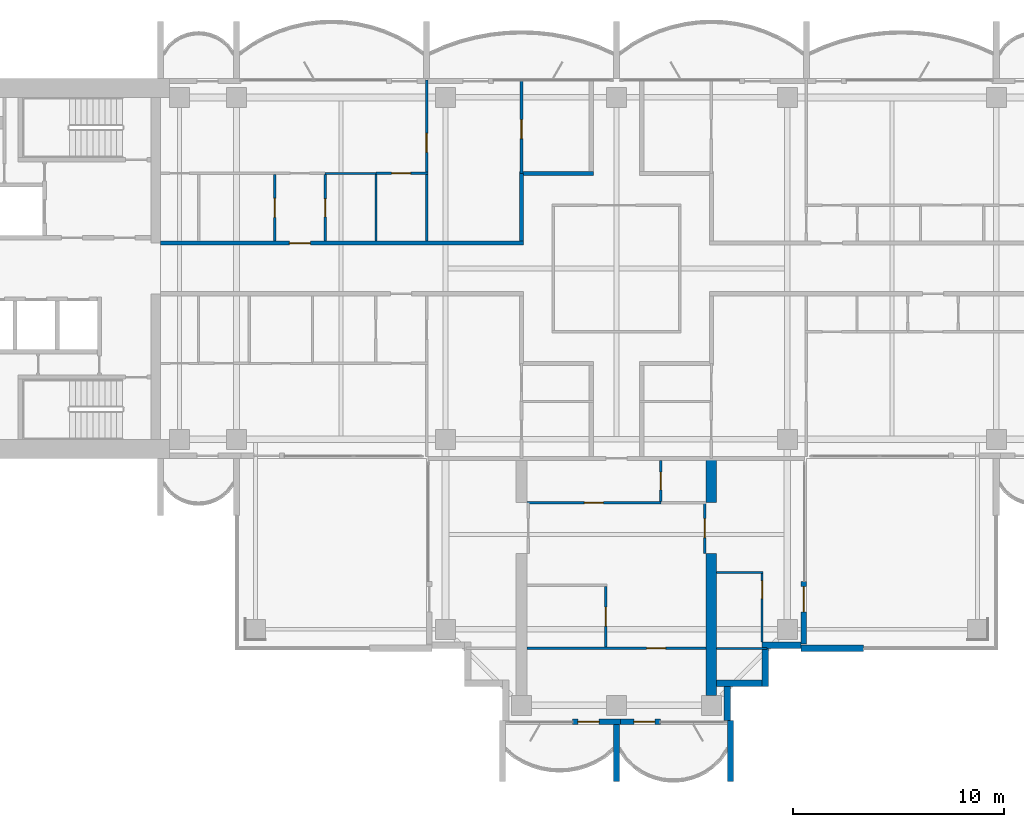
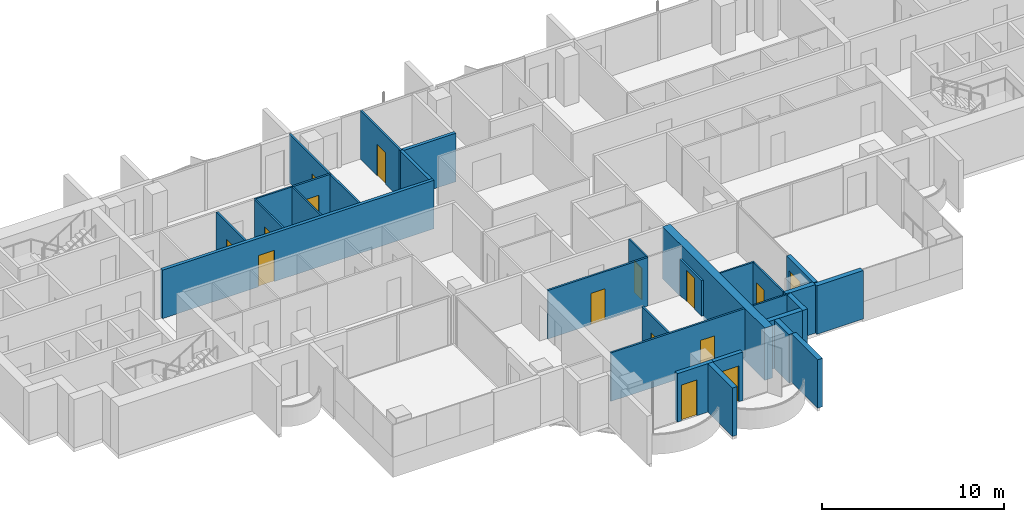
# One storey, part 10 of 17: 29 walls, 15 doors, 15 openings.
"""IFC4 building model written with IfcOpenShell, lengths in metres."""

from ifc_helpers import new_model, si_unit, direction, frame, frame_2d, origin, place, context, subcontext, project, spatial, polyline, rectangle, outline, extrude, material, layer, layer_set, material_profile, profile_set, type_object, element, fill, save


model = new_model("IFC4")

# Units and contexts
model_context = context("Model", 3, precision=1e-05, world=origin(), true_north=direction((0.0, 1.0)))
body_context = subcontext(model_context, "Body", "Model", "MODEL_VIEW")
ifc_project = project(units=[si_unit("LENGTHUNIT", "METRE"), si_unit("AREAUNIT", "SQUARE_METRE"), si_unit("VOLUMEUNIT", "CUBIC_METRE"), si_unit("PLANEANGLEUNIT", "RADIAN"), si_unit("MASSUNIT", "GRAM", prefix="KILO")], contexts=[model_context])

# Site, building, storey
site_placement = place(None, origin())
site = spatial("IfcSite", under=ifc_project, at=site_placement, CompositionType="ELEMENT")
building_placement = place(site_placement, origin())
building = spatial("IfcBuilding", under=site, at=building_placement, Name="Perihelion Cross Residences", CompositionType="ELEMENT")
storey_placement = place(building_placement, frame((0.0, 0.0, 194.60009765625)))
storey = spatial("IfcBuildingStorey", under=building, at=storey_placement, Name="L48", CompositionType="ELEMENT", Elevation=194.60009765625)

# Wall, opening, door
ifc_material_1 = material(Name="Plasterboard partition")
ifc_layer_1 = layer(ifc_material_1, 0.199951171875)
ifc_layer_set_1 = layer_set([ifc_layer_1], Name="Apartment separation wall 200")
wall_type_1 = type_object("IfcWallType", Name="Apartment separation wall 200", PredefinedType="PARTITIONING", material=ifc_layer_set_1)
wall_1_placement = place(storey_placement, frame((-21.60009765625, 1.199951171875, 0.0), z_axis=(0.0, 0.0, 1.0), x_axis=(1.0, 0.0, 0.0)))
wall_1 = element("IfcWall", 1, at=wall_1_placement, inside=storey, type_object=wall_type_1, Name="Partition L48 W013", PredefinedType="PARTITIONING", context=body_context, shape_type="SweptSolid", body=[
    extrude(rectangle(XDim=17.2001953125, YDim=0.199951171875, at=frame_2d((8.60009765625, 0.0))), origin(), (0.0, 0.0, 1.0), 3.25),
])
opening_1_placement = place(wall_1_placement, frame((6.10009765625, 0.0, 0.0)))
opening_1 = element("IfcOpeningElement", 2, at=opening_1_placement, cuts=wall_1, Name="Opening L48.A40", PredefinedType="OPENING", context=body_context, shape_type="SweptSolid", body=[
    extrude(rectangle(XDim=1.0, YDim=2.10009765625, at=frame_2d((0.5, 1.050048828125))), frame((0.0, 0.10986328125, 0.0), z_axis=(0.0, -1.0, 0.0), x_axis=(1.0, 0.0, 0.0)), (0.0, 0.0, 1.0), 0.219970703125),
])
ifc_material_2 = material(Name="Timber door leaf", Category="wood")
door_type_1 = type_object("IfcDoorType", Name="Flat entrance door 1000 x 2100", OperationType="SINGLE_SWING_LEFT", PredefinedType="DOOR", material=ifc_material_2)
door_1_placement = place(opening_1_placement, origin())
door_1 = element("IfcDoor", 3, at=door_1_placement, inside=storey, type_object=door_type_1, Name="Door L48.A40", OperationType="SINGLE_SWING_RIGHT", OverallHeight=2.10009765625, OverallWidth=1.0, PredefinedType="DOOR", context=body_context, shape_type="SweptSolid", body=[
    extrude(rectangle(XDim=1.0, YDim=2.10009765625, at=frame_2d((0.5, 1.050048828125))), frame((0.0, 0.02490234375, 0.0), z_axis=(0.0, -1.0, 0.0), x_axis=(1.0, 0.0, 0.0)), (0.0, 0.0, 1.0), 0.050048828125),
])
fill(opening_1, door_1)

# Walls
wall_2_placement = place(storey_placement, frame((-4.5, 1.300048828125, 0.0), z_axis=(0.0, 0.0, 1.0), x_axis=(0.0, 1.0, 0.0)))
element("IfcWall", 4, at=wall_2_placement, inside=storey, type_object=wall_type_1, Name="Partition L48 W014", PredefinedType="PARTITIONING", context=body_context, shape_type="SweptSolid", body=[
    extrude(rectangle(XDim=3.199951171875, YDim=0.199951171875, at=frame_2d((1.60009765625, 0.0))), origin(), (0.0, 0.0, 1.0), 3.25),
])
wall_3_placement = place(storey_placement, frame((-4.60009765625, 4.5, 0.0), z_axis=(0.0, 0.0, 1.0), x_axis=(1.0, 0.0, 0.0)))
element("IfcWall", 5, at=wall_3_placement, inside=storey, type_object=wall_type_1, Name="Partition L48 W015", PredefinedType="PARTITIONING", context=body_context, shape_type="SweptSolid", body=[
    extrude(rectangle(XDim=3.5, YDim=0.199951171875, at=frame_2d((1.75, 0.0))), origin(), (0.0, 0.0, 1.0), 3.25),
])

# Wall, opening, door
ifc_material_3 = material(Name="Concrete C30/37, bronze-clad", Category="concrete")
ifc_layer_2 = layer(ifc_material_3, 0.25)
ifc_layer_set_2 = layer_set([ifc_layer_2], Name="Bronze-clad pier wall 250")
wall_type_2 = type_object("IfcWallType", Name="Bronze-clad pier wall 250", PredefinedType="SOLIDWALL", material=ifc_layer_set_2)
wall_4_placement = place(storey_placement, frame((-2.074951171875, -21.47509765625, 0.0), z_axis=(0.0, 0.0, 1.0), x_axis=(1.0, 0.0, 0.0)))
wall_4 = element("IfcWall", 6, at=wall_4_placement, inside=storey, type_object=wall_type_2, Name="Wall FW1 L48 south tip south bay 1 pier", PredefinedType="SOLIDWALL", context=body_context, shape_type="SweptSolid", body=[
    extrude(rectangle(XDim=2.27490234375, YDim=0.25, at=frame_2d((1.137451171875, 0.0))), origin(), (0.0, 0.0, 1.0), 3.25),
])
opening_2_placement = place(wall_4_placement, frame((0.25, 0.0, 0.0)))
opening_2 = element("IfcOpeningElement", 7, at=opening_2_placement, cuts=wall_4, Name="Opening L48.E10", PredefinedType="OPENING", context=body_context, shape_type="SweptSolid", body=[
    extrude(rectangle(XDim=1.0, YDim=2.39990234375, at=frame_2d((0.5, 1.199951171875))), frame((0.0, 0.135009765625, 0.0), z_axis=(0.0, -1.0, 0.0), x_axis=(1.0, 0.0, 0.0)), (0.0, 0.0, 1.0), 0.27001953125),
])
ifc_material_4 = material(Name="Bronze anodised aluminium, glazed", Category="aluminium")
door_type_2 = type_object("IfcDoorType", Name="Balcony door 1000 x 2400", OperationType="NOTDEFINED", PredefinedType="DOOR", material=ifc_material_4)
door_2_placement = place(opening_2_placement, origin())
door_2 = element("IfcDoor", 8, at=door_2_placement, inside=storey, type_object=door_type_2, Name="Door L48.E10 south tip south bay 1", OperationType="SINGLE_SWING_RIGHT", OverallHeight=2.39990234375, OverallWidth=1.0, PredefinedType="DOOR", context=body_context, shape_type="SweptSolid", body=[
    extrude(rectangle(XDim=1.0, YDim=2.39990234375, at=frame_2d((0.5, 1.199951171875))), frame((0.0, 0.02490234375, 0.0), z_axis=(0.0, -1.0, 0.0), x_axis=(1.0, 0.0, 0.0)), (0.0, 0.0, 1.0), 0.050048828125),
])
fill(opening_2, door_2)

wall_5_placement = place(storey_placement, frame((0.199951171875, -21.47509765625, 0.0), z_axis=(0.0, 0.0, 1.0), x_axis=(1.0, 0.0, 0.0)))
wall_5 = element("IfcWall", 9, at=wall_5_placement, inside=storey, type_object=wall_type_2, Name="Wall FW1 L48 south tip south bay 2 pier", PredefinedType="SOLIDWALL", context=body_context, shape_type="SweptSolid", body=[
    extrude(rectangle(XDim=1.875, YDim=0.25, at=frame_2d((0.9375, 0.0))), origin(), (0.0, 0.0, 1.0), 3.25),
])
opening_3_placement = place(wall_5_placement, frame((0.625, 0.0, 0.0)))
opening_3 = element("IfcOpeningElement", 10, at=opening_3_placement, cuts=wall_5, Name="Opening L48.E11", PredefinedType="OPENING", context=body_context, shape_type="SweptSolid", body=[
    extrude(rectangle(XDim=1.0, YDim=2.39990234375, at=frame_2d((0.5, 1.199951171875))), frame((0.0, 0.135009765625, 0.0), z_axis=(0.0, -1.0, 0.0), x_axis=(1.0, 0.0, 0.0)), (0.0, 0.0, 1.0), 0.27001953125),
])
door_3_placement = place(opening_3_placement, origin())
door_3 = element("IfcDoor", 11, at=door_3_placement, inside=storey, type_object=door_type_2, Name="Door L48.E11 south tip south bay 2", OperationType="SINGLE_SWING_LEFT", OverallHeight=2.39990234375, OverallWidth=1.0, PredefinedType="DOOR", context=body_context, shape_type="SweptSolid", body=[
    extrude(rectangle(XDim=1.0, YDim=2.39990234375, at=frame_2d((0.5, 1.199951171875))), frame((0.0, 0.02490234375, 0.0), z_axis=(0.0, -1.0, 0.0), x_axis=(1.0, 0.0, 0.0)), (0.0, 0.0, 1.0), 0.050048828125),
])
fill(opening_3, door_3)

wall_6_placement = place(storey_placement, frame((8.875, -17.800048828125, 0.0), z_axis=(0.0, 0.0, 1.0), x_axis=(0.0, 1.0, 0.0)))
wall_6 = element("IfcWall", 12, at=wall_6_placement, inside=storey, type_object=wall_type_2, Name="Wall FW1 L48 south side east bay 1 pier", PredefinedType="SOLIDWALL", context=body_context, shape_type="SweptSolid", body=[
    extrude(rectangle(XDim=2.97509765625, YDim=0.25, at=frame_2d((1.487548828125, 0.0))), origin(), (0.0, 0.0, 1.0), 3.25),
])
opening_4_placement = place(wall_6_placement, frame((1.52490234375, 0.0, 0.0)))
opening_4 = element("IfcOpeningElement", 13, at=opening_4_placement, cuts=wall_6, Name="Opening L48.E12", PredefinedType="OPENING", context=body_context, shape_type="SweptSolid", body=[
    extrude(rectangle(XDim=1.199951171875, YDim=2.39990234375, at=frame_2d((0.60009765625, 1.199951171875))), frame((0.0, 0.135009765625, 0.0), z_axis=(0.0, -1.0, 0.0), x_axis=(1.0, 0.0, 0.0)), (0.0, 0.0, 1.0), 0.27001953125),
])
ifc_material_5 = material(Name="Bronze anodised aluminium, glazed", Category="aluminium")
door_type_3 = type_object("IfcDoorType", Name="Balcony door 1200 x 2400", OperationType="NOTDEFINED", PredefinedType="DOOR", material=ifc_material_5)
door_4_placement = place(opening_4_placement, origin())
door_4 = element("IfcDoor", 14, at=door_4_placement, inside=storey, type_object=door_type_3, Name="Door L48.E12 south side east bay 1", OperationType="SINGLE_SWING_RIGHT", OverallHeight=2.39990234375, OverallWidth=1.199951171875, PredefinedType="DOOR", context=body_context, shape_type="SweptSolid", body=[
    extrude(rectangle(XDim=1.199951171875, YDim=2.39990234375, at=frame_2d((0.60009765625, 1.199951171875))), frame((0.0, 0.02490234375, 0.0), z_axis=(0.0, -1.0, 0.0), x_axis=(1.0, 0.0, 0.0)), (0.0, 0.0, 1.0), 0.050048828125),
])
fill(opening_4, door_4)

# Walls
ifc_material_6 = material(Name="Concrete C30/37, bronze-clad", Category="concrete")
ifc_layer_3 = layer(ifc_material_6, 0.300048828125)
ifc_layer_set_3 = layer_set([ifc_layer_3], Name="Bronze-clad serration wall 300")
wall_type_3 = type_object("IfcWallType", Name="Bronze-clad serration wall 300", PredefinedType="SOLIDWALL", material=ifc_layer_set_3)
wall_7_placement = place(storey_placement, frame((5.25, -21.419921875, 0.0), z_axis=(0.0, 0.0, 1.0), x_axis=(0.0, 1.0, 0.0)))
element("IfcWall", 15, at=wall_7_placement, inside=storey, type_object=wall_type_3, Name="Wall SR1 L48 south corner south-east 1", PredefinedType="SOLIDWALL", context=body_context, shape_type="SweptSolid", body=[
    extrude(rectangle(XDim=1.619873046875, YDim=0.300048828125, at=frame_2d((0.81005859375, 0.0))), origin(), (0.0, 0.0, 1.0), 3.25),
])
wall_8_placement = place(storey_placement, frame((4.75, -19.64990234375, 0.0), z_axis=(0.0, 0.0, 1.0), x_axis=(1.0, 0.0, 0.0)))
element("IfcWall", 16, at=wall_8_placement, inside=storey, type_object=wall_type_3, Name="Wall SR1 L48 south corner south-east 2", PredefinedType="SOLIDWALL", context=body_context, shape_type="SweptSolid", body=[
    extrude(rectangle(XDim=2.14990234375, YDim=0.300048828125, at=frame_2d((1.074951171875, 0.0))), origin(), (0.0, 0.0, 1.0), 3.25),
])
wall_9_placement = place(storey_placement, frame((7.050048828125, -19.800048828125, 0.0), z_axis=(0.0, 0.0, 1.0), x_axis=(0.0, 1.0, 0.0)))
element("IfcWall", 17, at=wall_9_placement, inside=storey, type_object=wall_type_3, Name="Wall SR1 L48 south corner south-east 3", PredefinedType="SOLIDWALL", context=body_context, shape_type="SweptSolid", body=[
    extrude(rectangle(XDim=1.800048828125, YDim=0.300048828125, at=frame_2d((0.89990234375, 0.0))), origin(), (0.0, 0.0, 1.0), 3.25),
])
wall_10_placement = place(storey_placement, frame((6.89990234375, -17.85009765625, 0.0), z_axis=(0.0, 0.0, 1.0), x_axis=(1.0, 0.0, 0.0)))
element("IfcWall", 18, at=wall_10_placement, inside=storey, type_object=wall_type_3, Name="Wall SR1 L48 south corner south-east 4", PredefinedType="SOLIDWALL", context=body_context, shape_type="SweptSolid", body=[
    extrude(rectangle(XDim=1.85009765625, YDim=0.300048828125, at=frame_2d((0.925048828125, 0.0))), origin(), (0.0, 0.0, 1.0), 3.25),
])

# Wall, opening, door
ifc_material_7 = material(Name="Plasterboard partition")
ifc_layer_4 = layer(ifc_material_7, 0.1201171875)
ifc_layer_set_4 = layer_set([ifc_layer_4], Name="Infill panel 120")
wall_type_4 = type_object("IfcWallType", Name="Infill panel 120", PredefinedType="PARTITIONING", material=ifc_layer_set_4)
wall_11_placement = place(storey_placement, frame((4.18994140625, -11.10009765625, 0.0), z_axis=(0.0, 0.0, 1.0), x_axis=(0.0, -1.0, 0.0)))
wall_11 = element("IfcWall", 19, at=wall_11_placement, inside=storey, type_object=wall_type_4, Name="Partition L48 WI01", PredefinedType="PARTITIONING", context=body_context, shape_type="SweptSolid", body=[
    extrude(rectangle(XDim=2.39990234375, YDim=0.1201171875, at=frame_2d((1.199951171875, 0.0))), origin(), (0.0, 0.0, 1.0), 2.39990234375),
])
opening_5_placement = place(wall_11_placement, frame((0.75, 0.0, 0.0)))
opening_5 = element("IfcOpeningElement", 20, at=opening_5_placement, cuts=wall_11, Name="Opening L48.A42", PredefinedType="OPENING", context=body_context, shape_type="SweptSolid", body=[
    extrude(rectangle(XDim=0.89990234375, YDim=2.10009765625, at=frame_2d((0.449951171875, 1.050048828125))), frame((0.0, 0.070068359375, 0.0), z_axis=(0.0, -1.0, 0.0), x_axis=(1.0, 0.0, 0.0)), (0.0, 0.0, 1.0), 0.14013671875),
])
ifc_material_8 = material(Name="Timber door leaf", Category="wood")
door_type_4 = type_object("IfcDoorType", Name="Interior room door 900 x 2100", OperationType="SINGLE_SWING_LEFT", PredefinedType="DOOR", material=ifc_material_8)
door_5_placement = place(opening_5_placement, origin())
door_5 = element("IfcDoor", 21, at=door_5_placement, inside=storey, type_object=door_type_4, Name="Door L48.A42", OperationType="SINGLE_SWING_LEFT", OverallHeight=2.10009765625, OverallWidth=0.89990234375, PredefinedType="DOOR", context=body_context, shape_type="SweptSolid", body=[
    extrude(rectangle(XDim=0.89990234375, YDim=2.10009765625, at=frame_2d((0.449951171875, 1.050048828125))), frame((0.0, 0.02490234375, 0.0), z_axis=(0.0, -1.0, 0.0), x_axis=(1.0, 0.0, 0.0)), (0.0, 0.0, 1.0), 0.050048828125),
])
fill(opening_5, door_5)

ifc_material_9 = material(Name="Plasterboard partition")
ifc_layer_5 = layer(ifc_material_9, 0.1201171875)
ifc_layer_set_5 = layer_set([ifc_layer_5], Name="Partition wall 120")
wall_type_5 = type_object("IfcWallType", Name="Partition wall 120", PredefinedType="PARTITIONING", material=ifc_layer_set_5)
wall_12_placement = place(storey_placement, frame((-11.39990234375, 4.5, 0.0), z_axis=(0.0, 0.0, 1.0), x_axis=(1.0, 0.0, 0.0)))
wall_12 = element("IfcWall", 22, at=wall_12_placement, inside=storey, type_object=wall_type_5, Name="Partition L48 W044", PredefinedType="PARTITIONING", context=body_context, shape_type="SweptSolid", body=[
    extrude(rectangle(XDim=2.4599609375, YDim=0.1201171875, at=frame_2d((1.22998046875, 0.0))), origin(), (0.0, 0.0, 1.0), 3.25),
])
opening_6_placement = place(wall_12_placement, frame((0.75, 0.0, 0.0)))
opening_6 = element("IfcOpeningElement", 23, at=opening_6_placement, cuts=wall_12, Name="Opening L48.A23", PredefinedType="OPENING", context=body_context, shape_type="SweptSolid", body=[
    extrude(rectangle(XDim=0.89990234375, YDim=2.10009765625, at=frame_2d((0.449951171875, 1.050048828125))), frame((0.0, 0.070068359375, 0.0), z_axis=(0.0, -1.0, 0.0), x_axis=(1.0, 0.0, 0.0)), (0.0, 0.0, 1.0), 0.14013671875),
])
door_6_placement = place(opening_6_placement, origin())
door_6 = element("IfcDoor", 24, at=door_6_placement, inside=storey, type_object=door_type_4, Name="Door L48.A23", OperationType="SINGLE_SWING_RIGHT", OverallHeight=2.10009765625, OverallWidth=0.89990234375, PredefinedType="DOOR", context=body_context, shape_type="SweptSolid", body=[
    extrude(rectangle(XDim=0.89990234375, YDim=2.10009765625, at=frame_2d((0.449951171875, 1.050048828125))), frame((0.0, 0.02490234375, 0.0), z_axis=(0.0, -1.0, 0.0), x_axis=(1.0, 0.0, 0.0)), (0.0, 0.0, 1.0), 0.050048828125),
])
fill(opening_6, door_6)

wall_13_placement = place(storey_placement, frame((-9.0, 8.919921875, 0.0), z_axis=(0.0, 0.0, 1.0), x_axis=(0.0, -1.0, 0.0)))
wall_13 = element("IfcWall", 25, at=wall_13_placement, inside=storey, type_object=wall_type_5, Name="Partition L48 W045", PredefinedType="PARTITIONING", context=body_context, shape_type="SweptSolid", body=[
    extrude(rectangle(XDim=7.619873046875, YDim=0.1201171875, at=frame_2d((3.81005859375, 0.0))), origin(), (0.0, 0.0, 1.0), 3.25),
])
opening_7_placement = place(wall_13_placement, frame((2.52001953125, 0.0, 0.0)))
opening_7 = element("IfcOpeningElement", 26, at=opening_7_placement, cuts=wall_13, Name="Opening L48.A22", PredefinedType="OPENING", context=body_context, shape_type="SweptSolid", body=[
    extrude(rectangle(XDim=0.89990234375, YDim=2.10009765625, at=frame_2d((0.449951171875, 1.050048828125))), frame((0.0, 0.070068359375, 0.0), z_axis=(0.0, -1.0, 0.0), x_axis=(1.0, 0.0, 0.0)), (0.0, 0.0, 1.0), 0.14013671875),
])
door_7_placement = place(opening_7_placement, origin())
door_7 = element("IfcDoor", 27, at=door_7_placement, inside=storey, type_object=door_type_4, Name="Door L48.A22", OperationType="SINGLE_SWING_RIGHT", OverallHeight=2.10009765625, OverallWidth=0.89990234375, PredefinedType="DOOR", context=body_context, shape_type="SweptSolid", body=[
    extrude(rectangle(XDim=0.89990234375, YDim=2.10009765625, at=frame_2d((0.449951171875, 1.050048828125))), frame((0.0, 0.02490234375, 0.0), z_axis=(0.0, -1.0, 0.0), x_axis=(1.0, 0.0, 0.0)), (0.0, 0.0, 1.0), 0.050048828125),
])
fill(opening_7, door_7)

wall_14_placement = place(storey_placement, frame((-16.199951171875, 1.300048828125, 0.0), z_axis=(0.0, 0.0, 1.0), x_axis=(0.0, 1.0, 0.0)))
wall_14 = element("IfcWall", 28, at=wall_14_placement, inside=storey, type_object=wall_type_5, Name="Partition L48 W048", PredefinedType="PARTITIONING", context=body_context, shape_type="SweptSolid", body=[
    extrude(rectangle(XDim=3.139892578125, YDim=0.1201171875, at=frame_2d((1.56982421875, 0.0))), origin(), (0.0, 0.0, 1.0), 3.25),
])
opening_8_placement = place(wall_14_placement, frame((1.1201171875, 0.0, 0.0)))
opening_8 = element("IfcOpeningElement", 29, at=opening_8_placement, cuts=wall_14, Name="Opening L48.A19", PredefinedType="OPENING", context=body_context, shape_type="SweptSolid", body=[
    extrude(rectangle(XDim=0.89990234375, YDim=2.10009765625, at=frame_2d((0.449951171875, 1.050048828125))), frame((0.0, 0.070068359375, 0.0), z_axis=(0.0, -1.0, 0.0), x_axis=(1.0, 0.0, 0.0)), (0.0, 0.0, 1.0), 0.14013671875),
])
door_8_placement = place(opening_8_placement, origin())
door_8 = element("IfcDoor", 30, at=door_8_placement, inside=storey, type_object=door_type_4, Name="Door L48.A19", OperationType="SINGLE_SWING_RIGHT", OverallHeight=2.10009765625, OverallWidth=0.89990234375, PredefinedType="DOOR", context=body_context, shape_type="SweptSolid", body=[
    extrude(rectangle(XDim=0.89990234375, YDim=2.10009765625, at=frame_2d((0.449951171875, 1.050048828125))), frame((0.0, 0.02490234375, 0.0), z_axis=(0.0, -1.0, 0.0), x_axis=(1.0, 0.0, 0.0)), (0.0, 0.0, 1.0), 0.050048828125),
])
fill(opening_8, door_8)

wall_15_placement = place(storey_placement, frame((-4.5, 8.919921875, 0.0), z_axis=(0.0, 0.0, 1.0), x_axis=(0.0, -1.0, 0.0)))
wall_15 = element("IfcWall", 31, at=wall_15_placement, inside=storey, type_object=wall_type_5, Name="Partition L48 W051", PredefinedType="PARTITIONING", context=body_context, shape_type="SweptSolid", body=[
    extrude(rectangle(XDim=4.419921875, YDim=0.1201171875, at=frame_2d((2.2099609375, 0.0))), origin(), (0.0, 0.0, 1.0), 3.25),
])
opening_9_placement = place(wall_15_placement, frame((1.8701171875, 0.0, 0.0)))
opening_9 = element("IfcOpeningElement", 32, at=opening_9_placement, cuts=wall_15, Name="Opening L48.A18", PredefinedType="OPENING", context=body_context, shape_type="SweptSolid", body=[
    extrude(rectangle(XDim=0.89990234375, YDim=2.10009765625, at=frame_2d((0.449951171875, 1.050048828125))), frame((0.0, 0.070068359375, 0.0), z_axis=(0.0, -1.0, 0.0), x_axis=(1.0, 0.0, 0.0)), (0.0, 0.0, 1.0), 0.14013671875),
])
door_9_placement = place(opening_9_placement, origin())
door_9 = element("IfcDoor", 33, at=door_9_placement, inside=storey, type_object=door_type_4, Name="Door L48.A18", OperationType="SINGLE_SWING_RIGHT", OverallHeight=2.10009765625, OverallWidth=0.89990234375, PredefinedType="DOOR", context=body_context, shape_type="SweptSolid", body=[
    extrude(rectangle(XDim=0.89990234375, YDim=2.10009765625, at=frame_2d((0.449951171875, 1.050048828125))), frame((0.0, 0.02490234375, 0.0), z_axis=(0.0, -1.0, 0.0), x_axis=(1.0, 0.0, 0.0)), (0.0, 0.0, 1.0), 0.050048828125),
])
fill(opening_9, door_9)

wall_16_placement = place(storey_placement, frame((2.10009765625, -11.10009765625, 0.0), z_axis=(0.0, 0.0, 1.0), x_axis=(-1.0, 0.0, 0.0)))
wall_16 = element("IfcWall", 34, at=wall_16_placement, inside=storey, type_object=wall_type_5, Name="Partition L48 W065", PredefinedType="PARTITIONING", context=body_context, shape_type="SweptSolid", body=[
    extrude(rectangle(XDim=6.35009765625, YDim=0.1201171875, at=frame_2d((3.175048828125, 0.0))), origin(), (0.0, 0.0, 1.0), 3.25),
])
opening_10_placement = place(wall_16_placement, frame((2.72509765625, 0.0, 0.0)))
opening_10 = element("IfcOpeningElement", 35, at=opening_10_placement, cuts=wall_16, Name="Opening L48.A34", PredefinedType="OPENING", context=body_context, shape_type="SweptSolid", body=[
    extrude(rectangle(XDim=0.89990234375, YDim=2.10009765625, at=frame_2d((0.449951171875, 1.050048828125))), frame((0.0, 0.070068359375, 0.0), z_axis=(0.0, -1.0, 0.0), x_axis=(1.0, 0.0, 0.0)), (0.0, 0.0, 1.0), 0.14013671875),
])
door_10_placement = place(opening_10_placement, origin())
door_10 = element("IfcDoor", 36, at=door_10_placement, inside=storey, type_object=door_type_4, Name="Door L48.A34", OperationType="SINGLE_SWING_RIGHT", OverallHeight=2.10009765625, OverallWidth=0.89990234375, PredefinedType="DOOR", context=body_context, shape_type="SweptSolid", body=[
    extrude(rectangle(XDim=0.89990234375, YDim=2.10009765625, at=frame_2d((0.449951171875, 1.050048828125))), frame((0.0, 0.02490234375, 0.0), z_axis=(0.0, -1.0, 0.0), x_axis=(1.0, 0.0, 0.0)), (0.0, 0.0, 1.0), 0.050048828125),
])
fill(opening_10, door_10)

wall_17_placement = place(storey_placement, frame((-0.5, -17.93994140625, 0.0), z_axis=(0.0, 0.0, 1.0), x_axis=(0.0, 1.0, 0.0)))
wall_17 = element("IfcWall", 37, at=wall_17_placement, inside=storey, type_object=wall_type_5, Name="Partition L48 W067", PredefinedType="PARTITIONING", context=body_context, shape_type="SweptSolid", body=[
    extrude(rectangle(XDim=2.8798828125, YDim=0.1201171875, at=frame_2d((1.43994140625, 0.0))), origin(), (0.0, 0.0, 1.0), 3.25),
])
opening_11_placement = place(wall_17_placement, frame((0.989990234375, 0.0, 0.0)))
opening_11 = element("IfcOpeningElement", 38, at=opening_11_placement, cuts=wall_17, Name="Opening L48.A35", PredefinedType="OPENING", context=body_context, shape_type="SweptSolid", body=[
    extrude(rectangle(XDim=0.89990234375, YDim=2.10009765625, at=frame_2d((0.449951171875, 1.050048828125))), frame((0.0, 0.070068359375, 0.0), z_axis=(0.0, -1.0, 0.0), x_axis=(1.0, 0.0, 0.0)), (0.0, 0.0, 1.0), 0.14013671875),
])
door_11_placement = place(opening_11_placement, origin())
door_11 = element("IfcDoor", 39, at=door_11_placement, inside=storey, type_object=door_type_4, Name="Door L48.A35", OperationType="SINGLE_SWING_LEFT", OverallHeight=2.10009765625, OverallWidth=0.89990234375, PredefinedType="DOOR", context=body_context, shape_type="SweptSolid", body=[
    extrude(rectangle(XDim=0.89990234375, YDim=2.10009765625, at=frame_2d((0.449951171875, 1.050048828125))), frame((0.0, 0.02490234375, 0.0), z_axis=(0.0, -1.0, 0.0), x_axis=(1.0, 0.0, 0.0)), (0.0, 0.0, 1.0), 0.050048828125),
])
fill(opening_11, door_11)

wall_18_placement = place(storey_placement, frame((4.25, -18.0, 0.0), z_axis=(0.0, 0.0, 1.0), x_axis=(-1.0, 0.0, 0.0)))
wall_18 = element("IfcWall", 40, at=wall_18_placement, inside=storey, type_object=wall_type_5, Name="Partition L48 W069", PredefinedType="PARTITIONING", context=body_context, shape_type="SweptSolid", body=[
    extrude(rectangle(XDim=8.5, YDim=0.1201171875, at=frame_2d((4.25, 0.0))), origin(), (0.0, 0.0, 1.0), 3.25),
])
opening_12_placement = place(wall_18_placement, frame((1.925048828125, 0.0, 0.0)))
opening_12 = element("IfcOpeningElement", 41, at=opening_12_placement, cuts=wall_18, Name="Opening L48.A36", PredefinedType="OPENING", context=body_context, shape_type="SweptSolid", body=[
    extrude(rectangle(XDim=0.89990234375, YDim=2.10009765625, at=frame_2d((0.449951171875, 1.050048828125))), frame((0.0, 0.070068359375, 0.0), z_axis=(0.0, -1.0, 0.0), x_axis=(1.0, 0.0, 0.0)), (0.0, 0.0, 1.0), 0.14013671875),
])
door_12_placement = place(opening_12_placement, origin())
door_12 = element("IfcDoor", 42, at=door_12_placement, inside=storey, type_object=door_type_4, Name="Door L48.A36", OperationType="SINGLE_SWING_LEFT", OverallHeight=2.10009765625, OverallWidth=0.89990234375, PredefinedType="DOOR", context=body_context, shape_type="SweptSolid", body=[
    extrude(rectangle(XDim=0.89990234375, YDim=2.10009765625, at=frame_2d((0.449951171875, 1.050048828125))), frame((0.0, 0.02490234375, 0.0), z_axis=(0.0, -1.0, 0.0), x_axis=(1.0, 0.0, 0.0)), (0.0, 0.0, 1.0), 0.050048828125),
])
fill(opening_12, door_12)

# Walls
ifc_material_10 = material(Name="Precast concrete C50/60", Category="concrete")
ifc_layer_6 = layer(ifc_material_10, 0.300048828125)
ifc_layer_set_6 = layer_set([ifc_layer_6], Name="Precast concrete C50/60 blade wall 300")
wall_type_6 = type_object("IfcWallType", Name="Precast concrete C50/60 blade wall 300", PredefinedType="SOLIDWALL", material=ifc_layer_set_6)
wall_19_placement = place(storey_placement, frame((0.0, -21.60009765625, 0.0), z_axis=(0.0, 0.0, 1.0), x_axis=(0.0, -1.0, 0.0)))
element("IfcWall", 43, at=wall_19_placement, inside=storey, type_object=wall_type_6, Name="Wall BL1 L48 no. 8", PredefinedType="SOLIDWALL", context=body_context, shape_type="SweptSolid", body=[
    extrude(rectangle(XDim=2.699951171875, YDim=0.300048828125, at=frame_2d((1.35009765625, 0.0))), origin(), (0.0, 0.0, 1.0), 3.25),
])
wall_20_placement = place(storey_placement, frame((5.39990234375, -21.419921875, 0.0), z_axis=(0.0, 0.0, 1.0), x_axis=(0.0, -1.0, 0.0)))
element("IfcWall", 44, at=wall_20_placement, inside=storey, type_object=wall_type_6, Name="Wall BL1 L48 no. 14", PredefinedType="SOLIDWALL", context=body_context, shape_type="SweptSolid", body=[
    extrude(rectangle(XDim=2.880126953125, YDim=0.300048828125, at=frame_2d((1.43994140625, 0.0))), origin(), (0.0, 0.0, 1.0), 3.25),
])
wall_21_placement = place(storey_placement, frame((8.75, -18.0, 0.0), z_axis=(0.0, 0.0, 1.0), x_axis=(1.0, 0.0, 0.0)))
element("IfcWall", 45, at=wall_21_placement, inside=storey, type_object=wall_type_6, Name="Wall BL1 L48 no. 15", PredefinedType="SOLIDWALL", context=body_context, shape_type="SweptSolid", body=[
    extrude(rectangle(XDim=2.949951171875, YDim=0.300048828125, at=frame_2d((1.47509765625, 0.0))), origin(), (0.0, 0.0, 1.0), 3.25),
])
ifc_material_11 = material(Name="Concrete C60/75", Category="concrete")
ifc_material_profile = material_profile(ifc_material_11, outline(polyline([(0.0, 0.0), (6.72509765625, 0.0), (6.72509765625, 2.64990234375), (9.125, 2.64990234375), (9.125, 0.0), (11.22509765625, 0.0), (11.22509765625, 3.5), (0.0, 3.5), (0.0, 0.0)])), Name="Tip spine wall")
ifc_profile_set = profile_set([ifc_material_profile], Name="Concrete C60/75")
wall_type_7 = type_object("IfcWallType", Name="Tip spine wall 500 with 1 door openings 11225 long 3500 high concrete C60/75", PredefinedType="SHEAR", material=ifc_profile_set)
wall_22_placement = place(storey_placement, frame((4.25, -20.22509765625, -0.25), z_axis=(1.0, 0.0, 0.0), x_axis=(0.0, 1.0, 0.0)))
element("IfcWall", 46, at=wall_22_placement, inside=storey, type_object=wall_type_7, Name="Shear wall SW41 L48 south east", PredefinedType="SHEAR", context=body_context, shape_type="SweptSolid", body=[
    extrude(outline(polyline([(0.0, 0.0), (6.72509765625, 0.0), (6.72509765625, 2.64990234375), (9.125, 2.64990234375), (9.125, 0.0), (11.22509765625, 0.0), (11.22509765625, 3.5), (0.0, 3.5), (0.0, 0.0)])), origin(), (0.0, 0.0, 1.0), 0.5),
])
ifc_material_12 = material(Name="Plasterboard partition")
ifc_layer_7 = layer(ifc_material_12, 0.10009765625)
ifc_layer_set_7 = layer_set([ifc_layer_7], Name="Wet room wall 100")
wall_type_8 = type_object("IfcWallType", Name="Wet room wall 100", PredefinedType="PARTITIONING", material=ifc_layer_set_7)
wall_23_placement = place(storey_placement, frame((-11.39990234375, 1.300048828125, 0.0), z_axis=(0.0, 0.0, 1.0), x_axis=(0.0, 1.0, 0.0)))
element("IfcWall", 47, at=wall_23_placement, inside=storey, type_object=wall_type_8, Name="Partition L48 W043", PredefinedType="PARTITIONING", context=body_context, shape_type="SweptSolid", body=[
    extrude(rectangle(XDim=3.139892578125, YDim=0.10009765625, at=frame_2d((1.56982421875, 0.0))), origin(), (0.0, 0.0, 1.0), 3.25),
])

# Wall, opening, door
wall_24_placement = place(storey_placement, frame((-13.800048828125, 1.300048828125, 0.0), z_axis=(0.0, 0.0, 1.0), x_axis=(0.0, 1.0, 0.0)))
wall_24 = element("IfcWall", 48, at=wall_24_placement, inside=storey, type_object=wall_type_8, Name="Partition L48 W046", PredefinedType="PARTITIONING", context=body_context, shape_type="SweptSolid", body=[
    extrude(rectangle(XDim=3.139892578125, YDim=0.10009765625, at=frame_2d((1.56982421875, 0.0))), origin(), (0.0, 0.0, 1.0), 3.25),
])
opening_13_placement = place(wall_24_placement, frame((1.14501953125, 0.0, 0.0)))
opening_13 = element("IfcOpeningElement", 49, at=opening_13_placement, cuts=wall_24, Name="Opening L48.A17", PredefinedType="OPENING", context=body_context, shape_type="SweptSolid", body=[
    extrude(rectangle(XDim=0.85009765625, YDim=2.10009765625, at=frame_2d((0.425048828125, 1.050048828125))), frame((0.0, 0.06005859375, 0.0), z_axis=(0.0, -1.0, 0.0), x_axis=(1.0, 0.0, 0.0)), (0.0, 0.0, 1.0), 0.1201171875),
])
ifc_material_13 = material(Name="Timber door leaf", Category="wood")
door_type_5 = type_object("IfcDoorType", Name="Interior bathroom door 850 x 2100", OperationType="SINGLE_SWING_LEFT", PredefinedType="DOOR", material=ifc_material_13)
door_13_placement = place(opening_13_placement, origin())
door_13 = element("IfcDoor", 50, at=door_13_placement, inside=storey, type_object=door_type_5, Name="Door L48.A17", OperationType="SINGLE_SWING_RIGHT", OverallHeight=2.10009765625, OverallWidth=0.85009765625, PredefinedType="DOOR", context=body_context, shape_type="SweptSolid", body=[
    extrude(rectangle(XDim=0.85009765625, YDim=2.10009765625, at=frame_2d((0.425048828125, 1.050048828125))), frame((0.0, 0.02490234375, 0.0), z_axis=(0.0, -1.0, 0.0), x_axis=(1.0, 0.0, 0.0)), (0.0, 0.0, 1.0), 0.050048828125),
])
fill(opening_13, door_13)

# Wall
wall_25_placement = place(storey_placement, frame((-13.800048828125, 4.5, 0.0), z_axis=(0.0, 0.0, 1.0), x_axis=(1.0, 0.0, 0.0)))
element("IfcWall", 51, at=wall_25_placement, inside=storey, type_object=wall_type_8, Name="Partition L48 W047", PredefinedType="PARTITIONING", context=body_context, shape_type="SweptSolid", body=[
    extrude(rectangle(XDim=2.400146484375, YDim=0.10009765625, at=frame_2d((1.2001953125, 0.0))), origin(), (0.0, 0.0, 1.0), 3.25),
])

# Wall, opening, door
wall_26_placement = place(storey_placement, frame((2.10009765625, -9.10009765625, 0.0), z_axis=(0.0, 0.0, 1.0), x_axis=(0.0, -1.0, 0.0)))
wall_26 = element("IfcWall", 52, at=wall_26_placement, inside=storey, type_object=wall_type_8, Name="Partition L48 W064", PredefinedType="PARTITIONING", context=body_context, shape_type="SweptSolid", body=[
    extrude(rectangle(XDim=1.93994140625, YDim=0.10009765625, at=frame_2d((0.969970703125, 0.0))), origin(), (0.0, 0.0, 1.0), 3.25),
])
opening_14_placement = place(wall_26_placement, frame((0.544921875, 0.0, 0.0)))
opening_14 = element("IfcOpeningElement", 53, at=opening_14_placement, cuts=wall_26, Name="Opening L48.A33", PredefinedType="OPENING", context=body_context, shape_type="SweptSolid", body=[
    extrude(rectangle(XDim=0.85009765625, YDim=2.10009765625, at=frame_2d((0.425048828125, 1.050048828125))), frame((0.0, 0.06005859375, 0.0), z_axis=(0.0, -1.0, 0.0), x_axis=(1.0, 0.0, 0.0)), (0.0, 0.0, 1.0), 0.1201171875),
])
door_14_placement = place(opening_14_placement, origin())
door_14 = element("IfcDoor", 54, at=door_14_placement, inside=storey, type_object=door_type_5, Name="Door L48.A33", OperationType="SINGLE_SWING_LEFT", OverallHeight=2.10009765625, OverallWidth=0.85009765625, PredefinedType="DOOR", context=body_context, shape_type="SweptSolid", body=[
    extrude(rectangle(XDim=0.85009765625, YDim=2.10009765625, at=frame_2d((0.425048828125, 1.050048828125))), frame((0.0, 0.02490234375, 0.0), z_axis=(0.0, -1.0, 0.0), x_axis=(1.0, 0.0, 0.0)), (0.0, 0.0, 1.0), 0.050048828125),
])
fill(opening_14, door_14)

wall_27_placement = place(storey_placement, frame((6.89990234375, -17.699951171875, 0.0), z_axis=(0.0, 0.0, 1.0), x_axis=(0.0, 1.0, 0.0)))
wall_27 = element("IfcWall", 55, at=wall_27_placement, inside=storey, type_object=wall_type_8, Name="Partition L48 W070", PredefinedType="PARTITIONING", context=body_context, shape_type="SweptSolid", body=[
    extrude(rectangle(XDim=3.25, YDim=0.10009765625, at=frame_2d((1.625, 0.0))), origin(), (0.0, 0.0, 1.0), 3.25),
])
opening_15_placement = place(wall_27_placement, frame((2.050048828125, 0.0, 0.0)))
opening_15 = element("IfcOpeningElement", 56, at=opening_15_placement, cuts=wall_27, Name="Opening L48.A37", PredefinedType="OPENING", context=body_context, shape_type="SweptSolid", body=[
    extrude(rectangle(XDim=0.85009765625, YDim=2.10009765625, at=frame_2d((0.425048828125, 1.050048828125))), frame((0.0, 0.06005859375, 0.0), z_axis=(0.0, -1.0, 0.0), x_axis=(1.0, 0.0, 0.0)), (0.0, 0.0, 1.0), 0.1201171875),
])
door_15_placement = place(opening_15_placement, origin())
door_15 = element("IfcDoor", 57, at=door_15_placement, inside=storey, type_object=door_type_5, Name="Door L48.A37", OperationType="SINGLE_SWING_RIGHT", OverallHeight=2.10009765625, OverallWidth=0.85009765625, PredefinedType="DOOR", context=body_context, shape_type="SweptSolid", body=[
    extrude(rectangle(XDim=0.85009765625, YDim=2.10009765625, at=frame_2d((0.425048828125, 1.050048828125))), frame((0.0, 0.02490234375, 0.0), z_axis=(0.0, -1.0, 0.0), x_axis=(1.0, 0.0, 0.0)), (0.0, 0.0, 1.0), 0.050048828125),
])
fill(opening_15, door_15)

# Walls
wall_28_placement = place(storey_placement, frame((6.949951171875, -14.39990234375, 0.0), z_axis=(0.0, 0.0, 1.0), x_axis=(-1.0, 0.0, 0.0)))
element("IfcWall", 58, at=wall_28_placement, inside=storey, type_object=wall_type_8, Name="Partition L48 W071", PredefinedType="PARTITIONING", context=body_context, shape_type="SweptSolid", body=[
    extrude(rectangle(XDim=2.199951171875, YDim=0.10009765625, at=frame_2d((1.10009765625, 0.0))), origin(), (0.0, 0.0, 1.0), 3.25),
])
wall_29_placement = place(storey_placement, frame((7.1201171875, -18.0, 0.0), z_axis=(0.0, 0.0, 1.0), x_axis=(-1.0, 0.0, 0.0)))
element("IfcWall", 59, at=wall_29_placement, inside=storey, type_object=wall_type_8, Name="Partition L48 W072", PredefinedType="PARTITIONING", context=body_context, shape_type="SweptSolid", body=[
    extrude(rectangle(XDim=2.3701171875, YDim=0.10009765625, at=frame_2d((1.18505859375, 0.0))), origin(), (0.0, 0.0, 1.0), 3.25),
])

save(model, "model.ifc")
